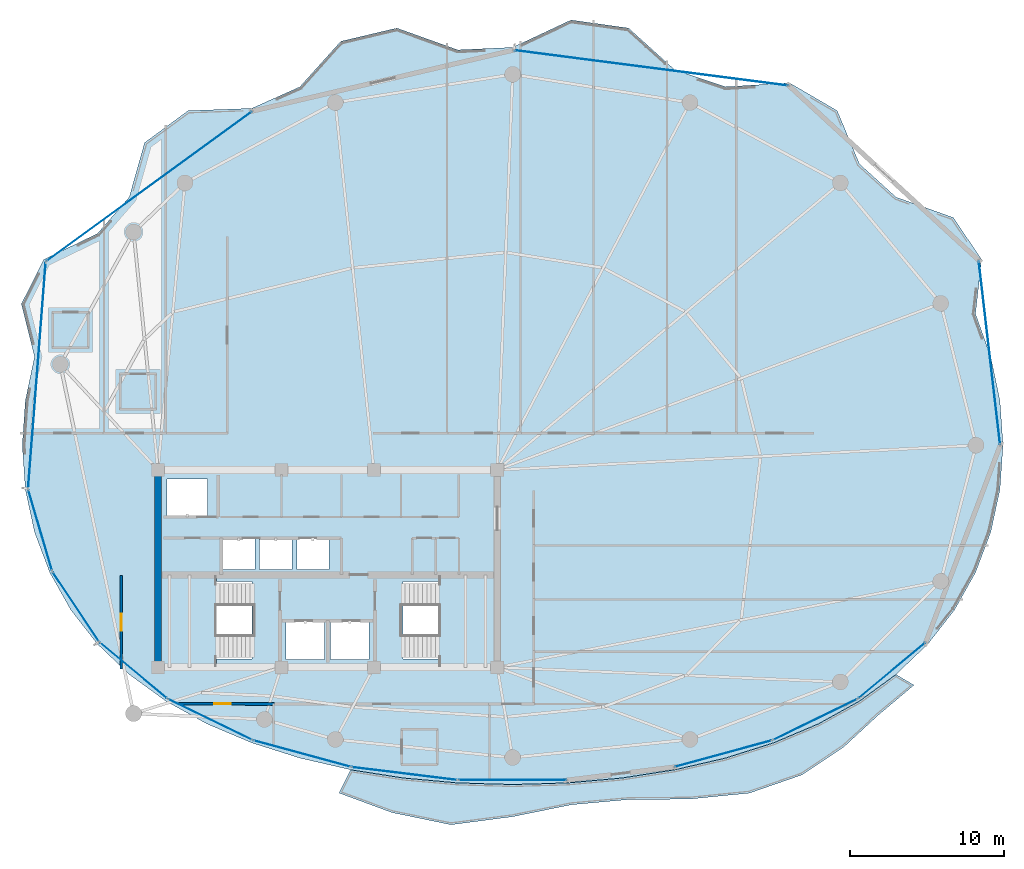
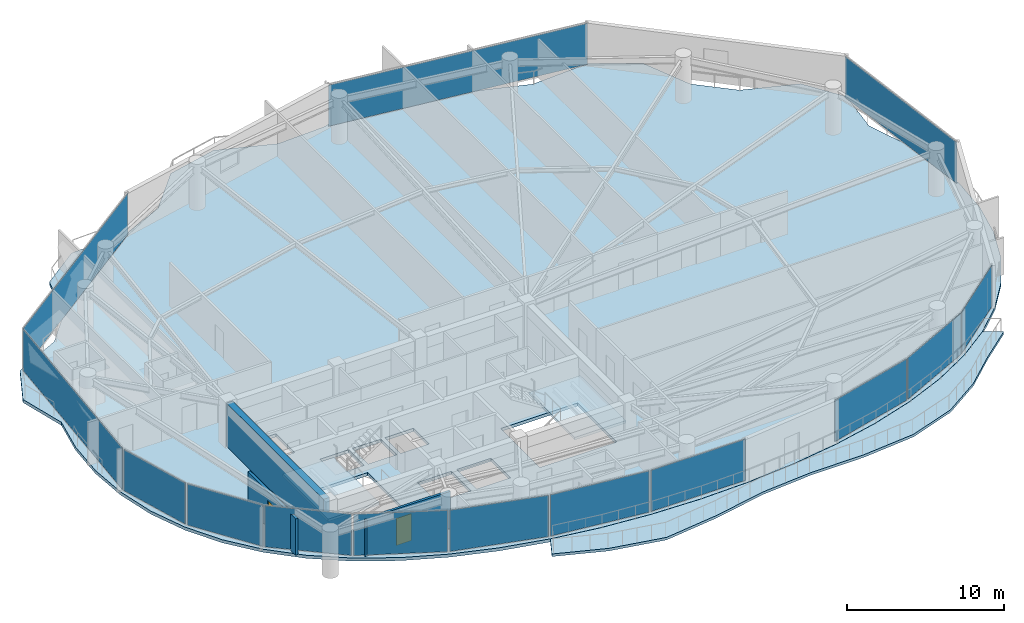
# One storey, part 24 of 31: 14 plates, 4 slabs, 3 walls, 2 doors, 2 openings, 16 elements without a shape of their own.
"""IFC4 building model written with IfcOpenShell, lengths in metres."""

from ifc_helpers import new_model, si_unit, direction, frame, frame_2d, origin, origin_2d, place, context, subcontext, project, spatial, polyline, rectangle, outline, extrude, material, layer, layer_set, type_object, element, fill, aggregate, save


model = new_model("IFC4")

# Units and contexts
model_context = context("Model", 3, precision=1e-05, world=origin(), true_north=direction((0.0, 1.0)))
body_context = subcontext(model_context, "Body", "Model", "MODEL_VIEW")
ifc_project = project(units=[si_unit("LENGTHUNIT", "METRE"), si_unit("AREAUNIT", "SQUARE_METRE"), si_unit("VOLUMEUNIT", "CUBIC_METRE"), si_unit("PLANEANGLEUNIT", "RADIAN"), si_unit("MASSUNIT", "GRAM", prefix="KILO")], contexts=[model_context])

# Site, building, storey
site_placement = place(None, origin())
site = spatial("IfcSite", under=ifc_project, at=site_placement, CompositionType="ELEMENT")
building_placement = place(site_placement, origin())
building = spatial("IfcBuilding", under=site, at=building_placement, Name="Kazevale Care Tower and Concert Hall", CompositionType="ELEMENT")
storey_placement = place(building_placement, frame((0.0, 0.0, 210.0)))
storey = spatial("IfcBuildingStorey", under=building, at=storey_placement, Name="L55", CompositionType="ELEMENT", Elevation=210.0)

# Curtain wall, plate
ifc_material_1 = material(Name="Aluminium 6063-T6 and Low-E Glass", Category="aluminium")
ifc_layer_1 = layer(ifc_material_1, 0.179931640625)
ifc_layer_set_1 = layer_set([ifc_layer_1], Name="Aluminium 6063-T6 and Low-E Glass")
curtain_wall_type_1 = type_object("IfcCurtainWallType", Name="Waist & Upper Residential Curtain Wall CW-4", PredefinedType="NOTDEFINED", material=ifc_layer_set_1)
curtain_wall_1_placement = place(storey_placement, origin())
curtain_wall_1 = element("IfcCurtainWall", 1, at=curtain_wall_1_placement, inside=storey, type_object=curtain_wall_type_1, Name="cw:L55:f11", PredefinedType="NOTDEFINED")
ifc_material_2 = material(Name="Low-E Laminated Glass", Category="glass")
ifc_layer_2 = layer(ifc_material_2, 0.030029296875)
ifc_layer_set_2 = layer_set([ifc_layer_2], Name="Low-E Laminated Glass")
plate_type_1 = type_object("IfcPlateType", Name="CW-4 Low-E Glazing Panel 30mm", PredefinedType="CURTAIN_PANEL", material=ifc_layer_set_2)
plate_1_placement = place(storey_placement, frame((16.677978515625, 27.525390625, 0.080078125), z_axis=(0.0, 0.0, 1.0), x_axis=(-0.554616540853, 0.832106058512, 0.0)))
plate_1 = element("IfcPlate", 2, at=plate_1_placement, type_object=plate_type_1, Name="CW-4 panel 1.1", PredefinedType="CURTAIN_PANEL", context=body_context, shape_type="SweptSolid", body=[
    extrude(rectangle(XDim=5.357421875, YDim=0.030029296875, at=origin_2d()), origin(), (0.0, 0.0, 1.0), 3.199951171875),
])
aggregate(curtain_wall_1, [plate_1])

curtain_wall_2_placement = place(storey_placement, origin())
curtain_wall_2 = element("IfcCurtainWall", 3, at=curtain_wall_2_placement, inside=storey, type_object=curtain_wall_type_1, Name="cw:L55:f12", PredefinedType="NOTDEFINED")
plate_2_placement = place(storey_placement, frame((14.363525390625, 32.489013671875, 0.080078125), z_axis=(0.0, 0.0, 1.0), x_axis=(-0.282098184457, 0.959385539982, 0.0)))
plate_2 = element("IfcPlate", 4, at=plate_2_placement, type_object=plate_type_1, Name="CW-4 panel 1.1", PredefinedType="CURTAIN_PANEL", context=body_context, shape_type="SweptSolid", body=[
    extrude(rectangle(XDim=5.40185546875, YDim=0.030029296875, at=origin_2d()), origin(), (0.0, 0.0, 1.0), 3.199951171875),
])
aggregate(curtain_wall_2, [plate_2])

curtain_wall_3_placement = place(storey_placement, origin())
curtain_wall_3 = element("IfcCurtainWall", 5, at=curtain_wall_3_placement, inside=storey, type_object=curtain_wall_type_1, Name="cw:L55:f13", PredefinedType="NOTDEFINED")
plate_3_placement = place(storey_placement, frame((14.152587890625, 42.531005859375, 0.080078125), z_axis=(0.0, 0.0, 1.0), x_axis=(0.077539106325, 0.996989311372, 0.0)))
plate_3 = element("IfcPlate", 6, at=plate_3_placement, type_object=plate_type_1, Name="CW-4 panel 1.1", PredefinedType="CURTAIN_PANEL", context=body_context, shape_type="SweptSolid", body=[
    extrude(rectangle(XDim=14.632568359375, YDim=0.030029296875, at=origin_2d()), origin(), (0.0, 0.0, 1.0), 3.199951171875),
])
aggregate(curtain_wall_3, [plate_3])

curtain_wall_4_placement = place(storey_placement, origin())
curtain_wall_4 = element("IfcCurtainWall", 7, at=curtain_wall_4_placement, inside=storey, type_object=curtain_wall_type_1, Name="cw:L55:f14", PredefinedType="NOTDEFINED")
plate_4_placement = place(storey_placement, frame((21.424560546875, 54.785888671875, 0.080078125), z_axis=(0.0, 0.0, 1.0), x_axis=(0.808198348937, 0.588910374145, 0.0)))
plate_4 = element("IfcPlate", 8, at=plate_4_placement, type_object=plate_type_1, Name="CW-4 panel 1.1", PredefinedType="CURTAIN_PANEL", context=body_context, shape_type="SweptSolid", body=[
    extrude(rectangle(XDim=16.416259765625, YDim=0.030029296875, at=origin_2d()), origin(), (0.0, 0.0, 1.0), 3.199951171875),
])
aggregate(curtain_wall_4, [plate_4])

curtain_wall_5_placement = place(storey_placement, origin())
curtain_wall_5 = element("IfcCurtainWall", 9, at=curtain_wall_5_placement, inside=storey, type_object=curtain_wall_type_1, Name="cw:L55:f16", PredefinedType="NOTDEFINED")
plate_5_placement = place(storey_placement, frame((53.978515625, 62.468017578125, 0.080078125), z_axis=(0.0, 0.0, 1.0), x_axis=(0.991761497713, -0.128098132904, 0.0)))
plate_5 = element("IfcPlate", 10, at=plate_5_placement, type_object=plate_type_1, Name="CW-4 panel 1.1", PredefinedType="CURTAIN_PANEL", context=body_context, shape_type="SweptSolid", body=[
    extrude(rectangle(XDim=17.857421875, YDim=0.030029296875, at=origin_2d()), origin(), (0.0, 0.0, 1.0), 3.199951171875),
])
aggregate(curtain_wall_5, [plate_5])

curtain_wall_6_placement = place(storey_placement, origin())
curtain_wall_6 = element("IfcCurtainWall", 11, at=curtain_wall_6_placement, inside=storey, type_object=curtain_wall_type_1, Name="cw:L55:f18", PredefinedType="NOTDEFINED")
plate_6_placement = place(storey_placement, frame((75.92041015625, 43.99755859375, 0.080078125), z_axis=(0.0, 0.0, 1.0), x_axis=(0.115846659989, -0.993267109779, 0.0)))
plate_6 = element("IfcPlate", 12, at=plate_6_placement, type_object=plate_type_1, Name="CW-4 panel 1.1", PredefinedType="CURTAIN_PANEL", context=body_context, shape_type="SweptSolid", body=[
    extrude(rectangle(XDim=11.916259765625, YDim=0.030029296875, at=origin_2d()), origin(), (0.0, 0.0, 1.0), 3.199951171875),
])
aggregate(curtain_wall_6, [plate_6])

ifc_layer_3 = layer(ifc_material_1, 0.179931640625)
ifc_layer_set_3 = layer_set([ifc_layer_3], Name="Aluminium 6063-T6 and Low-E Glass")
curtain_wall_type_2 = type_object("IfcCurtainWallType", Name="Sheltered Concave Balcony Curtain Wall CW-5", PredefinedType="NOTDEFINED", material=ifc_layer_set_3)
curtain_wall_7_placement = place(storey_placement, origin())
curtain_wall_7 = element("IfcCurtainWall", 13, at=curtain_wall_7_placement, inside=storey, type_object=curtain_wall_type_2, Name="cw:L55:f02", PredefinedType="NOTDEFINED")
ifc_layer_4 = layer(ifc_material_2, 0.02587890625)
ifc_layer_set_4 = layer_set([ifc_layer_4], Name="Low-E Laminated Glass")
plate_type_2 = type_object("IfcPlateType", Name="CW-5 Low-E Glazing Panel 26mm", PredefinedType="CURTAIN_PANEL", material=ifc_layer_set_4)
plate_7_placement = place(storey_placement, frame((69.590576171875, 23.396484375, 0.074951171875), z_axis=(0.0, 0.0, 1.0), x_axis=(-0.768407210062, -0.639961217204, 0.0)))
plate_7 = element("IfcPlate", 14, at=plate_7_placement, type_object=plate_type_2, Name="CW-5 panel 1.1", PredefinedType="CURTAIN_PANEL", context=body_context, shape_type="SweptSolid", body=[
    extrude(rectangle(XDim=5.580078125, YDim=0.02587890625, at=origin_2d()), origin(), (0.0, 0.0, 1.0), 3.2099609375),
])
aggregate(curtain_wall_7, [plate_7])

curtain_wall_8_placement = place(storey_placement, origin())
curtain_wall_8 = element("IfcCurtainWall", 15, at=curtain_wall_8_placement, inside=storey, type_object=curtain_wall_type_2, Name="cw:L55:f03", PredefinedType="NOTDEFINED")
plate_8_placement = place(storey_placement, frame((64.62255859375, 20.218017578125, 0.074951171875), z_axis=(0.0, 0.0, 1.0), x_axis=(-0.89934566163, -0.437238357087, 0.0)))
plate_8 = element("IfcPlate", 16, at=plate_8_placement, type_object=plate_type_2, Name="CW-5 panel 1.1", PredefinedType="CURTAIN_PANEL", context=body_context, shape_type="SweptSolid", body=[
    extrude(rectangle(XDim=6.002197265625, YDim=0.02587890625, at=origin_2d()), origin(), (0.0, 0.0, 1.0), 3.2099609375),
])
aggregate(curtain_wall_8, [plate_8])

curtain_wall_9_placement = place(storey_placement, origin())
curtain_wall_9 = element("IfcCurtainWall", 17, at=curtain_wall_9_placement, inside=storey, type_object=curtain_wall_type_2, Name="cw:L55:f04", PredefinedType="NOTDEFINED")
plate_9_placement = place(storey_placement, frame((58.66259765625, 18.0029296875, 0.074951171875), z_axis=(0.0, 0.0, 1.0), x_axis=(-0.964836991167, -0.262848968947, 0.0)))
plate_9 = element("IfcPlate", 18, at=plate_9_placement, type_object=plate_type_2, Name="CW-5 panel 1.1", PredefinedType="CURTAIN_PANEL", context=body_context, shape_type="SweptSolid", body=[
    extrude(rectangle(XDim=6.4697265625, YDim=0.02587890625, at=origin_2d()), origin(), (0.0, 0.0, 1.0), 3.2099609375),
])
aggregate(curtain_wall_9, [plate_9])

curtain_wall_10_placement = place(storey_placement, origin())
curtain_wall_10 = element("IfcCurtainWall", 19, at=curtain_wall_10_placement, inside=storey, type_object=curtain_wall_type_2, Name="cw:L55:f06", PredefinedType="NOTDEFINED")
plate_10_placement = place(storey_placement, frame((45.0, 16.284912109375, 0.074951171875), z_axis=(0.0, 0.0, 1.0), x_axis=(-1.0, 0.0, 0.0)))
plate_10 = element("IfcPlate", 20, at=plate_10_placement, type_object=plate_type_2, Name="CW-5 panel 1.1", PredefinedType="CURTAIN_PANEL", context=body_context, shape_type="SweptSolid", body=[
    extrude(rectangle(XDim=6.949951171875, YDim=0.02587890625, at=origin_2d()), origin(), (0.0, 0.0, 1.0), 3.2099609375),
])
aggregate(curtain_wall_10, [plate_10])

curtain_wall_11_placement = place(storey_placement, origin())
curtain_wall_11 = element("IfcCurtainWall", 21, at=curtain_wall_11_placement, inside=storey, type_object=curtain_wall_type_2, Name="cw:L55:f07", PredefinedType="NOTDEFINED")
plate_11_placement = place(storey_placement, frame((37.990478515625, 16.708984375, 0.074951171875), z_axis=(0.0, 0.0, 1.0), x_axis=(-0.992572961225, 0.121650797964, 0.0)))
plate_11 = element("IfcPlate", 22, at=plate_11_placement, type_object=plate_type_2, Name="CW-5 panel 1.1", PredefinedType="CURTAIN_PANEL", context=body_context, shape_type="SweptSolid", body=[
    extrude(rectangle(XDim=6.82080078125, YDim=0.02587890625, at=origin_2d()), origin(), (0.0, 0.0, 1.0), 3.2099609375),
])
aggregate(curtain_wall_11, [plate_11])

curtain_wall_12_placement = place(storey_placement, origin())
curtain_wall_12 = element("IfcCurtainWall", 23, at=curtain_wall_12_placement, inside=storey, type_object=curtain_wall_type_2, Name="cw:L55:f08", PredefinedType="NOTDEFINED")
plate_12_placement = place(storey_placement, frame((31.33740234375, 18.0029296875, 0.074951171875), z_axis=(0.0, 0.0, 1.0), x_axis=(-0.964836991167, 0.262848968947, 0.0)))
plate_12 = element("IfcPlate", 24, at=plate_12_placement, type_object=plate_type_2, Name="CW-5 panel 1.1", PredefinedType="CURTAIN_PANEL", context=body_context, shape_type="SweptSolid", body=[
    extrude(rectangle(XDim=6.4697265625, YDim=0.02587890625, at=origin_2d()), origin(), (0.0, 0.0, 1.0), 3.2099609375),
])
aggregate(curtain_wall_12, [plate_12])

curtain_wall_13_placement = place(storey_placement, origin())
curtain_wall_13 = element("IfcCurtainWall", 25, at=curtain_wall_13_placement, inside=storey, type_object=curtain_wall_type_2, Name="cw:L55:f09", PredefinedType="NOTDEFINED")
plate_13_placement = place(storey_placement, frame((25.37744140625, 20.218017578125, 0.074951171875), z_axis=(0.0, 0.0, 1.0), x_axis=(-0.89934566163, 0.437238357087, 0.0)))
plate_13 = element("IfcPlate", 26, at=plate_13_placement, type_object=plate_type_2, Name="CW-5 panel 1.1", PredefinedType="CURTAIN_PANEL", context=body_context, shape_type="SweptSolid", body=[
    extrude(rectangle(XDim=6.002197265625, YDim=0.02587890625, at=origin_2d()), origin(), (0.0, 0.0, 1.0), 3.2099609375),
])
aggregate(curtain_wall_13, [plate_13])

curtain_wall_14_placement = place(storey_placement, origin())
curtain_wall_14 = element("IfcCurtainWall", 27, at=curtain_wall_14_placement, inside=storey, type_object=curtain_wall_type_2, Name="cw:L55:f10", PredefinedType="NOTDEFINED")
plate_14_placement = place(storey_placement, frame((20.409423828125, 23.396484375, 0.074951171875), z_axis=(0.0, 0.0, 1.0), x_axis=(-0.768407210062, 0.639961217204, 0.0)))
plate_14 = element("IfcPlate", 28, at=plate_14_placement, type_object=plate_type_2, Name="CW-5 panel 1.1", PredefinedType="CURTAIN_PANEL", context=body_context, shape_type="SweptSolid", body=[
    extrude(rectangle(XDim=5.580078125, YDim=0.02587890625, at=origin_2d()), origin(), (0.0, 0.0, 1.0), 3.2099609375),
])
aggregate(curtain_wall_14, [plate_14])

# Slab
ifc_material_3 = material(Name="Concrete C40", Category="concrete")
ifc_layer_5 = layer(ifc_material_3, 0.199951171875)
ifc_layer_set_5 = layer_set([ifc_layer_5], Name="Concrete C40")
slab_type_1 = type_object("IfcSlabType", Name="Sinusoidal Concave Balcony Slab 200", PredefinedType="USERDEFINED", material=ifc_layer_set_5)
slab_1_placement = place(storey_placement, frame((0.0, 0.0, -0.199951171875)))
element("IfcSlab", 29, at=slab_1_placement, inside=storey, type_object=slab_type_1, Name="slab:L55:bal", ObjectType="BALCONY", PredefinedType="USERDEFINED", context=body_context, shape_type="SweptSolid", body=[
    extrude(outline(polyline([(71.021240234375, 22.44384765625), (68.714599609375, 20.504150390625), (66.472900390625, 18.43408203125), (63.746826171875, 16.6181640625), (60.34375, 15.43994140625), (56.45263671875, 15.052978515625), (52.53369140625, 15.027099609375), (48.791259765625, 14.6865234375), (45.0, 13.91357421875), (40.998046875, 13.39111328125), (37.187744140625, 14.177734375), (33.743408203125, 15.446044921875), (34.494873046875, 16.951416015625), (34.49609375, 16.951171875), (37.923095703125, 16.417236328125), (41.439208984375, 16.10009765625), (45.0, 15.9951171875), (48.560791015625, 16.10009765625), (52.076904296875, 16.417236328125), (55.50390625, 16.951171875), (58.798828125, 17.708740234375), (61.92041015625, 18.69873046875), (64.8291015625, 19.92919921875), (67.48876953125, 21.406494140625), (69.865478515625, 23.133056640625), (69.86669921875, 23.13427734375), (71.021240234375, 22.44384765625)])), origin(), (0.0, 0.0, 1.0), 0.199951171875),
])

# Stair, slab
stair_type = type_object("IfcStairType", Name="Exit Stair Assembly ST1-Z3", PredefinedType="HALF_TURN_STAIR", material=ifc_material_3)
stair_1_placement = place(storey_placement, origin())
stair_1 = element("IfcStair", 30, at=stair_1_placement, inside=storey, type_object=stair_type, Name="stair:L55:ST1", PredefinedType="HALF_TURN_STAIR")
ifc_layer_6 = layer(ifc_material_3, 0.199951171875)
ifc_layer_set_6 = layer_set([ifc_layer_6], Name="Concrete C40")
slab_type_2 = type_object("IfcSlabType", Name="Stair Half-Landing Slab ST1-Z3", PredefinedType="LANDING", material=ifc_layer_set_6)
slab_2_placement = place(storey_placement, frame((0.0, 0.0, 1.60009765625)))
slab_2 = element("IfcSlab", 31, at=slab_2_placement, type_object=slab_type_2, Name="ST1-Z3 landing 1", PredefinedType="LANDING", context=body_context, shape_type="SweptSolid", body=[
    extrude(outline(polyline([(22.050048828125, 23.699951171875), (25.81005859375, 23.699951171875), (25.81005859375, 29.5), (22.050048828125, 29.5), (22.050048828125, 23.699951171875)])), origin(), (0.0, 0.0, 1.0), 0.199951171875),
])
aggregate(stair_1, [slab_2])

stair_2_placement = place(storey_placement, origin())
stair_2 = element("IfcStair", 32, at=stair_2_placement, inside=storey, type_object=stair_type, Name="stair:L55:ST2", PredefinedType="HALF_TURN_STAIR")
slab_3_placement = place(storey_placement, frame((0.0, 0.0, 1.60009765625)))
slab_3 = element("IfcSlab", 33, at=slab_3_placement, type_object=slab_type_2, Name="ST1-Z3 landing 1", PredefinedType="LANDING", context=body_context, shape_type="SweptSolid", body=[
    extrude(outline(polyline([(40.18994140625, 23.699951171875), (43.949951171875, 23.699951171875), (43.949951171875, 29.5), (40.18994140625, 29.5), (40.18994140625, 23.699951171875)])), origin(), (0.0, 0.0, 1.0), 0.199951171875),
])
aggregate(stair_2, [slab_3])

# Slab
ifc_layer_7 = layer(ifc_material_3, 0.239990234375)
ifc_layer_set_7 = layer_set([ifc_layer_7], Name="Concrete C40")
slab_type_3 = type_object("IfcSlabType", Name="Tower Typical Floor Slab 240", PredefinedType="FLOOR", material=ifc_layer_set_7)
slab_4_placement = place(storey_placement, frame((0.0, 0.0, -0.239990234375)))
element("IfcSlab", 34, at=slab_4_placement, inside=storey, type_object=slab_type_3, Name="slab:L55:tw:1", PredefinedType="FLOOR", context=body_context, shape_type="SweptSolid", body=[
    extrude(outline(polyline([(76.800048828125, 38.0), (76.60009765625, 40.888671875), (76.002685546875, 43.740966796875), (75.015380859375, 46.521240234375), (75.40771484375, 50.040283203125), (73.576904296875, 52.763916015625), (69.8623046875, 54.0859375), (67.486083984375, 56.243408203125), (66.042724609375, 59.69580078125), (62.9560546875, 61.49658203125), (58.797607421875, 61.2451171875), (55.5029296875, 62.352294921875), (52.510009765625, 65.05419921875), (48.77880859375, 65.575439453125), (45.0, 63.800048828125), (41.439453125, 63.6376953125), (37.489990234375, 65.05419921875), (33.85302734375, 64.19287109375), (31.202392578125, 61.2451171875), (28.081298828125, 59.845458984375), (23.957275390625, 59.69580078125), (21.135009765625, 57.622314453125), (20.1376953125, 54.0859375), (18.07421875, 51.726318359375), (14.59228515625, 50.040283203125), (13.143798828125, 47.165283203125), (13.997314453125, 43.740966796875), (13.39990234375, 40.888671875), (13.199951171875, 38.0), (13.39990234375, 35.131103515625), (13.997314453125, 32.362060546875), (14.984619140625, 29.744873046875), (16.34912109375, 27.318115234375), (18.07421875, 25.109130859375), (20.1376953125, 23.13671875), (22.513916015625, 21.41064453125), (25.173095703125, 19.933837890625), (28.081298828125, 18.70361328125), (31.202392578125, 17.713623046875), (34.4970703125, 16.9560546875), (37.923828125, 16.422119140625), (41.439453125, 16.10498046875), (45.0, 16.0), (48.560546875, 16.10498046875), (52.076171875, 16.422119140625), (55.5029296875, 16.9560546875), (58.797607421875, 17.713623046875), (61.918701171875, 18.70361328125), (64.826904296875, 19.933837890625), (67.486083984375, 21.41064453125), (69.8623046875, 23.13671875), (71.92578125, 25.109130859375), (73.65087890625, 27.318115234375), (75.015380859375, 29.744873046875), (76.002685546875, 32.362060546875), (76.60009765625, 35.131103515625), (76.800048828125, 38.0)]), holes=[polyline([(22.449951171875, 24.14990234375), (28.110107421875, 24.14990234375), (28.110107421875, 29.14990234375), (22.449951171875, 29.14990234375), (22.449951171875, 24.14990234375)]), polyline([(37.889892578125, 24.14990234375), (43.550048828125, 24.14990234375), (43.550048828125, 29.14990234375), (37.889892578125, 29.14990234375), (37.889892578125, 24.14990234375)]), polyline([(30.300048828125, 24.10009765625), (32.800048828125, 24.10009765625), (32.800048828125, 26.60009765625), (30.300048828125, 26.60009765625), (30.300048828125, 24.10009765625)]), polyline([(33.199951171875, 24.10009765625), (35.699951171875, 24.10009765625), (35.699951171875, 26.60009765625), (33.199951171875, 26.60009765625), (33.199951171875, 24.10009765625)]), polyline([(22.60009765625, 33.39990234375), (25.199951171875, 33.39990234375), (25.199951171875, 35.800048828125), (22.60009765625, 35.800048828125), (22.60009765625, 33.39990234375)]), polyline([(26.199951171875, 29.949951171875), (28.300048828125, 29.949951171875), (28.300048828125, 31.949951171875), (26.199951171875, 31.949951171875), (26.199951171875, 29.949951171875)]), polyline([(28.60009765625, 29.949951171875), (30.699951171875, 29.949951171875), (30.699951171875, 31.949951171875), (28.60009765625, 31.949951171875), (28.60009765625, 29.949951171875)]), polyline([(31.0, 29.949951171875), (33.10009765625, 29.949951171875), (33.10009765625, 31.949951171875), (31.0, 31.949951171875), (31.0, 29.949951171875)])]), origin(), (0.0, 0.0, 1.0), 0.239990234375),
])

# Wall
ifc_material_4 = material(Name="Concrete C50", Category="concrete")
ifc_layer_8 = layer(ifc_material_4, 0.449951171875)
ifc_layer_set_8 = layer_set([ifc_layer_8], Name="Concrete C50")
wall_type_1 = type_object("IfcWallType", Name="Core Shear Wall 450 C50", PredefinedType="SHEAR", material=ifc_layer_set_8)
wall_1_placement = place(storey_placement, frame((22.0, 23.824951171875, 0.0), z_axis=(0.0, 0.0, 1.0), x_axis=(0.0, 1.0, 0.0)))
element("IfcWall", 35, at=wall_1_placement, inside=storey, type_object=wall_type_1, Name="wall:L55:core:W", PredefinedType="SHEAR", context=body_context, shape_type="SweptSolid", body=[
    extrude(rectangle(XDim=12.35009765625, YDim=0.449951171875, at=frame_2d((6.175048828125, 0.0))), origin(), (0.0, 0.0, 1.0), 3.360107421875),
])

# Wall, opening, door
ifc_material_5 = material(Name="Concrete C40 and Acoustic Gypsum", Category="concrete")
ifc_layer_9 = layer(ifc_material_5, 0.179931640625)
ifc_layer_set_9 = layer_set([ifc_layer_9], Name="Concrete C40 and Acoustic Gypsum")
wall_type_2 = type_object("IfcWallType", Name="Fire-Rated Corridor & Party Wall 180", PredefinedType="PARTITIONING", material=ifc_layer_set_9)
wall_2_placement = place(storey_placement, frame((29.56494140625, 21.22509765625, 0.0), z_axis=(0.0, 0.0, 1.0), x_axis=(-0.999996509373, 0.002642204019, 0.0)))
wall_2 = element("IfcWall", 36, at=wall_2_placement, inside=storey, type_object=wall_type_2, Name="wall:L55:auto_015", PredefinedType="PARTITIONING", context=body_context, shape_type="SweptSolid", body=[
    extrude(rectangle(XDim=6.283203125, YDim=0.179931640625, at=frame_2d((3.1416015625, 0.0))), origin(), (0.0, 0.0, 1.0), 2.889892578125),
])
opening_1_placement = place(wall_2_placement, frame((2.8291015625, 0.0, 0.0)))
opening_1 = element("IfcOpeningElement", 37, at=opening_1_placement, cuts=wall_2, Name="Opening ID-1100", PredefinedType="OPENING", context=body_context, shape_type="SweptSolid", body=[
    extrude(rectangle(XDim=1.10009765625, YDim=2.10009765625, at=frame_2d((0.550048828125, 1.050048828125))), frame((0.0, 0.099853515625, 0.0), z_axis=(0.0, -1.0, 0.0), x_axis=(1.0, 0.0, 0.0)), (0.0, 0.0, 1.0), 0.199951171875),
])
ifc_material_6 = material(Name="Oak Timber Fire Leaf", Category="wood")
door_type = type_object("IfcDoorType", Name="Care Bedroom Accessible Door 1100x2100", OperationType="NOTDEFINED", PredefinedType="DOOR", material=ifc_material_6)
door_1_placement = place(opening_1_placement, origin())
door_1 = element("IfcDoor", 38, at=door_1_placement, inside=storey, type_object=door_type, Name="door:L55:ad_015", OperationType="SINGLE_SWING_LEFT", OverallHeight=2.10009765625, OverallWidth=1.10009765625, PredefinedType="DOOR", context=body_context, shape_type="SweptSolid", body=[
    extrude(rectangle(XDim=1.10009765625, YDim=2.10009765625, at=frame_2d((0.550048828125, 1.050048828125))), frame((0.0, 0.02490234375, 0.0), z_axis=(0.0, -1.0, 0.0), x_axis=(1.0, 0.0, 0.0)), (0.0, 0.0, 1.0), 0.050048828125),
])
fill(opening_1, door_1)

wall_3_placement = place(storey_placement, frame((19.625, 23.49609375, 0.0), z_axis=(0.0, 0.0, 1.0), x_axis=(0.0, 1.0, 0.0)))
wall_3 = element("IfcWall", 39, at=wall_3_placement, inside=storey, type_object=wall_type_2, Name="wall:L55:auto_018", PredefinedType="PARTITIONING", context=body_context, shape_type="SweptSolid", body=[
    extrude(rectangle(XDim=6.06884765625, YDim=0.179931640625, at=frame_2d((3.034423828125, 0.0))), origin(), (0.0, 0.0, 1.0), 2.81689453125),
])
opening_2_placement = place(wall_3_placement, frame((2.48388671875, 0.0, 0.0)))
opening_2 = element("IfcOpeningElement", 40, at=opening_2_placement, cuts=wall_3, Name="Opening ID-1100", PredefinedType="OPENING", context=body_context, shape_type="SweptSolid", body=[
    extrude(rectangle(XDim=1.10009765625, YDim=2.10009765625, at=frame_2d((0.550048828125, 1.050048828125))), frame((0.0, 0.099853515625, 0.0), z_axis=(0.0, -1.0, 0.0), x_axis=(1.0, 0.0, 0.0)), (0.0, 0.0, 1.0), 0.199951171875),
])
door_2_placement = place(opening_2_placement, origin())
door_2 = element("IfcDoor", 41, at=door_2_placement, inside=storey, type_object=door_type, Name="door:L55:ad_018", OperationType="SINGLE_SWING_LEFT", OverallHeight=2.10009765625, OverallWidth=1.10009765625, PredefinedType="DOOR", context=body_context, shape_type="SweptSolid", body=[
    extrude(rectangle(XDim=1.10009765625, YDim=2.10009765625, at=frame_2d((0.550048828125, 1.050048828125))), frame((0.0, 0.02490234375, 0.0), z_axis=(0.0, -1.0, 0.0), x_axis=(1.0, 0.0, 0.0)), (0.0, 0.0, 1.0), 0.050048828125),
])
fill(opening_2, door_2)

save(model, "model.ifc")
